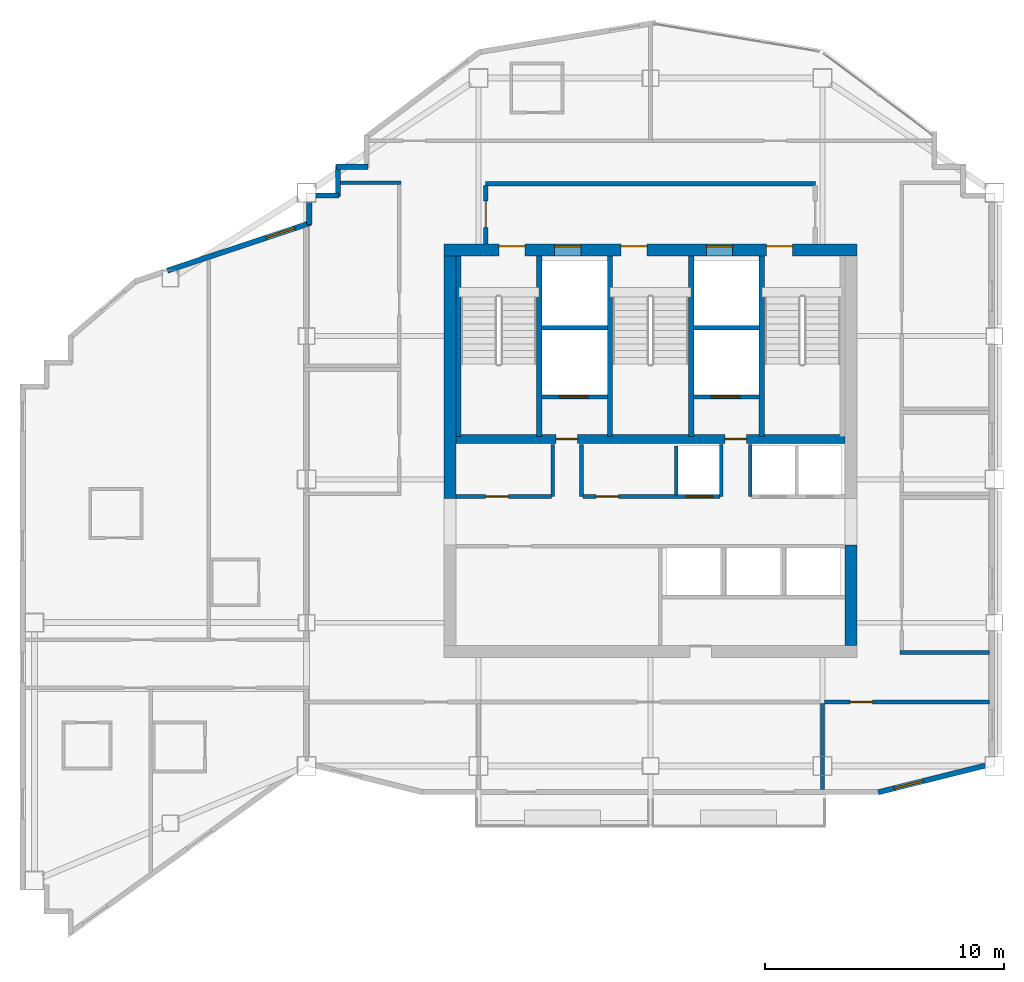
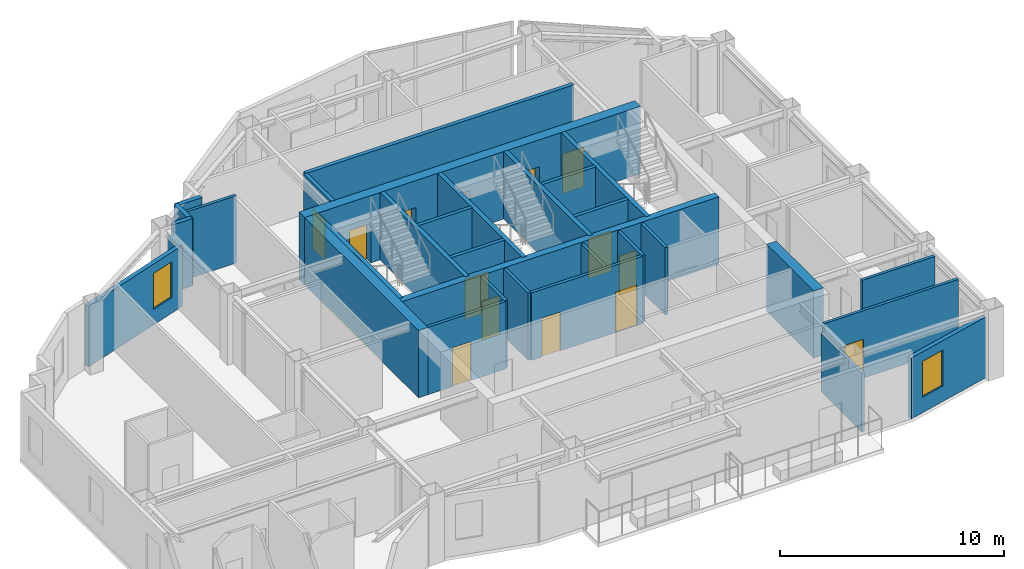
# One storey, part 6 of 9: 32 walls, 14 doors, 2 windows, 16 openings.
"""IFC4 building model written with IfcOpenShell, lengths in metres."""

from ifc_helpers import new_model, si_unit, direction, frame, frame_2d, origin, place, context, subcontext, project, spatial, rectangle, extrude, material, layer, layer_set, type_object, element, fill, save


model = new_model("IFC4")

# Units and contexts
model_context = context("Model", 3, precision=1e-05, world=origin(), true_north=direction((0.0, 1.0)))
body_context = subcontext(model_context, "Body", "Model", "MODEL_VIEW")
ifc_project = project(units=[si_unit("LENGTHUNIT", "METRE"), si_unit("AREAUNIT", "SQUARE_METRE"), si_unit("VOLUMEUNIT", "CUBIC_METRE"), si_unit("PLANEANGLEUNIT", "RADIAN"), si_unit("MASSUNIT", "GRAM", prefix="KILO")], contexts=[model_context])

# Site, building, storey
site_placement = place(None, origin())
site = spatial("IfcSite", under=ifc_project, at=site_placement, CompositionType="ELEMENT")
building_placement = place(site_placement, origin())
building = spatial("IfcBuilding", under=site, at=building_placement, Name="Haolan Belvedere Tower", CompositionType="ELEMENT")
storey_placement = place(building_placement, frame((0.0, 0.0, 239.050048828125)))
storey = spatial("IfcBuildingStorey", under=building, at=storey_placement, Name="L60", CompositionType="ELEMENT", Elevation=239.050048828125)

# Wall, openings, doors
ifc_material_1 = material(Name="Concrete C50/60", Category="concrete")
ifc_layer_1 = layer(ifc_material_1, 0.5, Name="Concrete C50/60")
ifc_layer_set_1 = layer_set([ifc_layer_1], Name="Concrete C50/60")
wall_type_1 = type_object("IfcWallType", Name="WL-CORE-500", PredefinedType="SHEAR", material=ifc_layer_set_1)
wall_1_placement = place(storey_placement, frame((29.75, 43.199951171875, 0.0), z_axis=(0.0, 0.0, 1.0), x_axis=(1.0, 0.0, 0.0)))
wall_1 = element("IfcWall", 1, at=wall_1_placement, inside=storey, type_object=wall_type_1, Name="L60 central core north shear wall", PredefinedType="SHEAR", context=body_context, shape_type="SweptSolid", body=[
    extrude(rectangle(XDim=17.300048828125, YDim=0.5, at=frame_2d((8.64990234375, 0.0))), origin(), (0.0, 0.0, 1.0), 3.669921875),
])
opening_1_placement = place(wall_1_placement, frame((2.300048828125, 0.0, 0.0)))
opening_1 = element("IfcOpeningElement", 2, at=opening_1_placement, cuts=wall_1, Name="Opening FD-03", PredefinedType="OPENING", context=body_context, shape_type="SweptSolid", body=[
    extrude(rectangle(XDim=1.10009765625, YDim=2.14990234375, at=frame_2d((0.550048828125, 1.074951171875))), frame((0.0, 0.260009765625, 0.0), z_axis=(0.0, -1.0, 0.0), x_axis=(1.0, 0.0, 0.0)), (0.0, 0.0, 1.0), 0.52001953125),
])
opening_2_placement = place(wall_1_placement, frame((7.409912109375, 0.0, 0.0)))
opening_2 = element("IfcOpeningElement", 3, at=opening_2_placement, cuts=wall_1, Name="Opening FD-03", PredefinedType="OPENING", context=body_context, shape_type="SweptSolid", body=[
    extrude(rectangle(XDim=1.10009765625, YDim=2.14990234375, at=frame_2d((0.550048828125, 1.074951171875))), frame((0.0, 0.260009765625, 0.0), z_axis=(0.0, -1.0, 0.0), x_axis=(1.0, 0.0, 0.0)), (0.0, 0.0, 1.0), 0.52001953125),
])
opening_3_placement = place(wall_1_placement, frame((13.5, 0.0, 0.0)))
opening_3 = element("IfcOpeningElement", 4, at=opening_3_placement, cuts=wall_1, Name="Opening FD-03", PredefinedType="OPENING", context=body_context, shape_type="SweptSolid", body=[
    extrude(rectangle(XDim=1.10009765625, YDim=2.14990234375, at=frame_2d((0.550048828125, 1.074951171875))), frame((0.0, 0.260009765625, 0.0), z_axis=(0.0, -1.0, 0.0), x_axis=(1.0, 0.0, 0.0)), (0.0, 0.0, 1.0), 0.52001953125),
])
opening_4_placement = place(wall_1_placement, frame((4.6298828125, 0.0, 0.0)))
opening_4 = element("IfcOpeningElement", 5, at=opening_4_placement, cuts=wall_1, Name="Opening LD-01", PredefinedType="OPENING", context=body_context, shape_type="SweptSolid", body=[
    extrude(rectangle(XDim=1.10009765625, YDim=2.199951171875, at=frame_2d((0.550048828125, 1.10009765625))), frame((0.0, 0.260009765625, 0.0), z_axis=(0.0, -1.0, 0.0), x_axis=(1.0, 0.0, 0.0)), (0.0, 0.0, 1.0), 0.52001953125),
])
opening_5_placement = place(wall_1_placement, frame((10.989990234375, 0.0, 0.0)))
opening_5 = element("IfcOpeningElement", 6, at=opening_5_placement, cuts=wall_1, Name="Opening LD-01", PredefinedType="OPENING", context=body_context, shape_type="SweptSolid", body=[
    extrude(rectangle(XDim=1.10009765625, YDim=2.199951171875, at=frame_2d((0.550048828125, 1.10009765625))), frame((0.0, 0.260009765625, 0.0), z_axis=(0.0, -1.0, 0.0), x_axis=(1.0, 0.0, 0.0)), (0.0, 0.0, 1.0), 0.52001953125),
])
ifc_material_2 = material(Name="Galvanised fire-rated steel", Category="steel")
door_type_1 = type_object("IfcDoorType", Name="DR-FD90-1100", OperationType="NOTDEFINED", PredefinedType="DOOR", material=ifc_material_2)
door_1_placement = place(opening_1_placement, origin())
door_1 = element("IfcDoor", 7, at=door_1_placement, inside=storey, type_object=door_type_1, Name="L60 door CD-L60-ST1", OperationType="SINGLE_SWING_LEFT", OverallHeight=2.14990234375, OverallWidth=1.10009765625, PredefinedType="DOOR", context=body_context, shape_type="SweptSolid", body=[
    extrude(rectangle(XDim=1.10009765625, YDim=2.14990234375, at=frame_2d((0.550048828125, 1.074951171875))), frame((0.0, 0.18505859375, 0.0), z_axis=(0.0, -1.0, 0.0), x_axis=(1.0, 0.0, 0.0)), (0.0, 0.0, 1.0), 0.050048828125),
])
fill(opening_1, door_1)
door_2_placement = place(opening_2_placement, origin())
door_2 = element("IfcDoor", 8, at=door_2_placement, inside=storey, type_object=door_type_1, Name="L60 door CD-L60-ST3", OperationType="SINGLE_SWING_LEFT", OverallHeight=2.14990234375, OverallWidth=1.10009765625, PredefinedType="DOOR", context=body_context, shape_type="SweptSolid", body=[
    extrude(rectangle(XDim=1.10009765625, YDim=2.14990234375, at=frame_2d((0.550048828125, 1.074951171875))), frame((0.0, 0.18505859375, 0.0), z_axis=(0.0, -1.0, 0.0), x_axis=(1.0, 0.0, 0.0)), (0.0, 0.0, 1.0), 0.050048828125),
])
fill(opening_2, door_2)
door_3_placement = place(opening_3_placement, origin())
door_3 = element("IfcDoor", 9, at=door_3_placement, inside=storey, type_object=door_type_1, Name="L60 door CD-L60-ST2", OperationType="SINGLE_SWING_RIGHT", OverallHeight=2.14990234375, OverallWidth=1.10009765625, PredefinedType="DOOR", context=body_context, shape_type="SweptSolid", body=[
    extrude(rectangle(XDim=1.10009765625, YDim=2.14990234375, at=frame_2d((0.550048828125, 1.074951171875))), frame((0.0, 0.18505859375, 0.0), z_axis=(0.0, -1.0, 0.0), x_axis=(1.0, 0.0, 0.0)), (0.0, 0.0, 1.0), 0.050048828125),
])
fill(opening_3, door_3)
ifc_material_3 = material(Name="Brushed champagne stainless steel 316L", Category="steel")
door_type_2 = type_object("IfcDoorType", Name="DR-LIFT-1100", OperationType="SLIDING_TO_LEFT", PredefinedType="DOOR", material=ifc_material_3)
door_4_placement = place(opening_4_placement, origin())
door_4 = element("IfcDoor", 10, at=door_4_placement, inside=storey, type_object=door_type_2, Name="L60 door LD-L60-FF1", OperationType="SLIDING_TO_LEFT", OverallHeight=2.199951171875, OverallWidth=1.10009765625, PredefinedType="DOOR", context=body_context, shape_type="SweptSolid", body=[
    extrude(rectangle(XDim=1.10009765625, YDim=2.199951171875, at=frame_2d((0.550048828125, 1.10009765625))), frame((0.0, 0.18505859375, 0.0), z_axis=(0.0, -1.0, 0.0), x_axis=(1.0, 0.0, 0.0)), (0.0, 0.0, 1.0), 0.050048828125),
])
fill(opening_4, door_4)
door_5_placement = place(opening_5_placement, origin())
door_5 = element("IfcDoor", 11, at=door_5_placement, inside=storey, type_object=door_type_2, Name="L60 door LD-L60-FF2", OperationType="SLIDING_TO_LEFT", OverallHeight=2.199951171875, OverallWidth=1.10009765625, PredefinedType="DOOR", context=body_context, shape_type="SweptSolid", body=[
    extrude(rectangle(XDim=1.10009765625, YDim=2.199951171875, at=frame_2d((0.550048828125, 1.10009765625))), frame((0.0, 0.18505859375, 0.0), z_axis=(0.0, -1.0, 0.0), x_axis=(1.0, 0.0, 0.0)), (0.0, 0.0, 1.0), 0.050048828125),
])
fill(opening_5, door_5)

# Walls
wall_2_placement = place(storey_placement, frame((30.0, 32.800048828125, 0.0), z_axis=(0.0, 0.0, 1.0), x_axis=(0.0, 1.0, 0.0)))
element("IfcWall", 12, at=wall_2_placement, inside=storey, type_object=wall_type_1, Name="L60 central core shear wall WN", PredefinedType="SHEAR", context=body_context, shape_type="SweptSolid", body=[
    extrude(rectangle(XDim=10.14990234375, YDim=0.5, at=frame_2d((5.074951171875, 0.0))), origin(), (0.0, 0.0, 1.0), 3.669921875),
])
wall_3_placement = place(storey_placement, frame((46.800048828125, 26.64990234375, 0.0), z_axis=(0.0, 0.0, 1.0), x_axis=(0.0, 1.0, 0.0)))
element("IfcWall", 13, at=wall_3_placement, inside=storey, type_object=wall_type_1, Name="L60 central core shear wall ES", PredefinedType="SHEAR", context=body_context, shape_type="SweptSolid", body=[
    extrude(rectangle(XDim=4.2001953125, YDim=0.5, at=frame_2d((2.10009765625, 0.0))), origin(), (0.0, 0.0, 1.0), 3.669921875),
])

# Wall, opening, window
ifc_material_4 = material(Name="Precast concrete C40/50", Category="concrete")
ifc_layer_2 = layer(ifc_material_4, 0.219970703125, Name="Precast concrete C40/50")
ifc_layer_set_2 = layer_set([ifc_layer_2], Name="Precast concrete C40/50")
wall_type_2 = type_object("IfcWallType", Name="WL-EXT-220", PredefinedType="SOLIDWALL", material=ifc_layer_set_2)
wall_4_placement = place(storey_placement, frame((47.93310546875, 20.49658203125, 0.0), z_axis=(0.0, 0.0, 1.0), x_axis=(0.970133159038, 0.242572986408, 0.0)))
wall_4 = element("IfcWall", 14, at=wall_4_placement, inside=storey, type_object=wall_type_2, Name="L60 pale-metal exterior spandrel wall 2.1", PredefinedType="SOLIDWALL", context=body_context, shape_type="SweptSolid", body=[
    extrude(rectangle(XDim=4.612548828125, YDim=0.219970703125, at=frame_2d((2.30615234375, 0.0))), origin(), (0.0, 0.0, 1.0), 3.31494140625),
])
opening_6_placement = place(wall_4_placement, frame((0.699951171875, 0.0, 0.85009765625)))
opening_6 = element("IfcOpeningElement", 15, at=opening_6_placement, cuts=wall_4, Name="Opening W-04", PredefinedType="OPENING", context=body_context, shape_type="SweptSolid", body=[
    extrude(rectangle(XDim=1.25, YDim=1.949951171875, at=frame_2d((0.625, 0.97509765625))), frame((0.0, 0.119873046875, 0.0), z_axis=(0.0, -1.0, 0.0), x_axis=(1.0, 0.0, 0.0)), (0.0, 0.0, 1.0), 0.239990234375),
])
ifc_material_5 = material(Name="Anodised aluminium 6063-T6 and Low-E glass", Category="aluminium")
window_type = type_object("IfcWindowType", Name="WN-DECO-Z4", PartitioningType="SINGLE_PANEL", PredefinedType="WINDOW", material=ifc_material_5)
window_1_placement = place(opening_6_placement, origin())
window_1 = element("IfcWindow", 16, at=window_1_placement, inside=storey, type_object=window_type, Name="L60 Art Deco chevron window 1", OverallHeight=1.949951171875, OverallWidth=1.25, PartitioningType="SINGLE_PANEL", PredefinedType="WINDOW", context=body_context, shape_type="SweptSolid", body=[
    extrude(rectangle(XDim=1.25, YDim=1.949951171875, at=frame_2d((0.625, 0.97509765625))), frame((0.0, 0.030029296875, 0.0), z_axis=(0.0, -1.0, 0.0), x_axis=(1.0, 0.0, 0.0)), (0.0, 0.0, 1.0), 0.06005859375),
])
fill(opening_6, window_1)

# Walls
for number, where, z_axis, x_axis, name in (
    (17, (26.56494140625, 46.68994140625, 0.0), (0.0, 0.0, 1.0), (-1.0, 0.0, 0.0), "L60 pale-metal exterior spandrel wall 13.1"),
    (18, (25.31005859375, 46.7451171875, 0.0), (0.0, 0.0, 1.0), (0.0, -1.0, 0.0), "L60 pale-metal exterior spandrel wall 14.1"),
):
    element("IfcWall", number, at=place(storey_placement, frame(where, z_axis=z_axis, x_axis=x_axis)), inside=storey, type_object=wall_type_2, Name=name, PredefinedType="SOLIDWALL", context=body_context, shape_type="SweptSolid", body=[
        extrude(rectangle(XDim=1.31005859375, YDim=0.219970703125, at=frame_2d((0.655029296875, 0.0))), origin(), (0.0, 0.0, 1.0), 3.669921875),
    ])
wall_5_placement = place(storey_placement, frame((25.364990234375, 45.489990234375, 0.0), z_axis=(0.0, 0.0, 1.0), x_axis=(-1.0, 0.0, 0.0)))
element("IfcWall", 19, at=wall_5_placement, inside=storey, type_object=wall_type_2, Name="L60 pale-metal exterior spandrel wall 15.1", PredefinedType="SOLIDWALL", context=body_context, shape_type="SweptSolid", body=[
    extrude(rectangle(XDim=0.972900390625, YDim=0.219970703125, at=frame_2d((0.486328125, 0.0))), origin(), (0.0, 0.0, 1.0), 3.669921875),
])
wall_6_placement = place(storey_placement, frame((24.110107421875, 45.2080078125, 0.0), z_axis=(0.0, 0.0, 1.0), x_axis=(0.0, -1.0, 0.0)))
element("IfcWall", 20, at=wall_6_placement, inside=storey, type_object=wall_type_2, Name="L60 pale-metal exterior spandrel wall 16.1", PredefinedType="SOLIDWALL", context=body_context, shape_type="SweptSolid", body=[
    extrude(rectangle(XDim=0.9423828125, YDim=0.219970703125, at=frame_2d((0.47119140625, 0.0))), origin(), (0.0, 0.0, 1.0), 3.31494140625),
])

# Wall, opening, window
wall_7_placement = place(storey_placement, frame((24.162109375, 44.338134765625, 0.0), z_axis=(0.0, 0.0, 1.0), x_axis=(-0.948687165594, -0.31621616315, 0.0)))
wall_7 = element("IfcWall", 21, at=wall_7_placement, inside=storey, type_object=wall_type_2, Name="L60 pale-metal exterior spandrel wall 17.1", PredefinedType="SOLIDWALL", context=body_context, shape_type="SweptSolid", body=[
    extrude(rectangle(XDim=6.3125, YDim=0.219970703125, at=frame_2d((3.15625, 0.0))), origin(), (0.0, 0.0, 1.0), 3.31494140625),
])
opening_7_placement = place(wall_7_placement, frame((0.699951171875, 0.0, 0.85009765625)))
opening_7 = element("IfcOpeningElement", 22, at=opening_7_placement, cuts=wall_7, Name="Opening W-04", PredefinedType="OPENING", context=body_context, shape_type="SweptSolid", body=[
    extrude(rectangle(XDim=1.25, YDim=1.949951171875, at=frame_2d((0.625, 0.97509765625))), frame((0.0, 0.119873046875, 0.0), z_axis=(0.0, -1.0, 0.0), x_axis=(1.0, 0.0, 0.0)), (0.0, 0.0, 1.0), 0.239990234375),
])
window_2_placement = place(opening_7_placement, origin())
window_2 = element("IfcWindow", 23, at=window_2_placement, inside=storey, type_object=window_type, Name="L60 Art Deco chevron window 1", OverallHeight=1.949951171875, OverallWidth=1.25, PartitioningType="SINGLE_PANEL", PredefinedType="WINDOW", context=body_context, shape_type="SweptSolid", body=[
    extrude(rectangle(XDim=1.25, YDim=1.949951171875, at=frame_2d((0.625, 0.97509765625))), frame((0.0, 0.030029296875, 0.0), z_axis=(0.0, -1.0, 0.0), x_axis=(1.0, 0.0, 0.0)), (0.0, 0.0, 1.0), 0.06005859375),
])
fill(opening_7, window_2)

# Wall
ifc_material_6 = material(Name="Concrete C40/50", Category="concrete")
ifc_layer_3 = layer(ifc_material_6, 0.199951171875, Name="Concrete C40/50")
ifc_layer_set_3 = layer_set([ifc_layer_3], Name="Concrete C40/50")
wall_type_3 = type_object("IfcWallType", Name="WL-FIRE-200", PredefinedType="SOLIDWALL", material=ifc_layer_set_3)
wall_8_placement = place(storey_placement, frame((31.5, 45.97998046875, 0.0), z_axis=(0.0, 0.0, 1.0), x_axis=(1.0, 0.0, 0.0)))
element("IfcWall", 24, at=wall_8_placement, inside=storey, type_object=wall_type_3, Name="L60 interior partition IW-L60-FFL-N", PredefinedType="SOLIDWALL", context=body_context, shape_type="SweptSolid", body=[
    extrude(rectangle(XDim=13.800048828125, YDim=0.199951171875, at=frame_2d((6.89990234375, 0.0))), origin(), (0.0, 0.0, 1.0), 3.669921875),
])

# Wall, opening, door
wall_9_placement = place(storey_placement, frame((31.5, 43.449951171875, 0.0), z_axis=(0.0, 0.0, 1.0), x_axis=(0.0, 1.0, 0.0)))
wall_9 = element("IfcWall", 25, at=wall_9_placement, inside=storey, type_object=wall_type_3, Name="L60 interior partition IW-L60-FFL-W", PredefinedType="SOLIDWALL", context=body_context, shape_type="SweptSolid", body=[
    extrude(rectangle(XDim=2.445068359375, YDim=0.199951171875, at=frame_2d((1.22265625, 0.0))), origin(), (0.0, 0.0, 1.0), 3.669921875),
])
opening_8_placement = place(wall_9_placement, frame((1.800048828125, 0.0, 0.0), z_axis=(0.0, 0.0, 1.0), x_axis=(-1.0, 0.0, 0.0)))
opening_8 = element("IfcOpeningElement", 26, at=opening_8_placement, cuts=wall_9, Name="Opening FD-03", PredefinedType="OPENING", context=body_context, shape_type="SweptSolid", body=[
    extrude(rectangle(XDim=1.10009765625, YDim=2.14990234375, at=frame_2d((0.550048828125, 1.074951171875))), frame((0.0, 0.10986328125, 0.0), z_axis=(0.0, -1.0, 0.0), x_axis=(1.0, 0.0, 0.0)), (0.0, 0.0, 1.0), 0.219970703125),
])
door_6_placement = place(opening_8_placement, origin())
door_6 = element("IfcDoor", 27, at=door_6_placement, inside=storey, type_object=door_type_1, Name="L60 door ID-L60-FFL-DW", OperationType="SINGLE_SWING_LEFT", OverallHeight=2.14990234375, OverallWidth=1.10009765625, PredefinedType="DOOR", context=body_context, shape_type="SweptSolid", body=[
    extrude(rectangle(XDim=1.10009765625, YDim=2.14990234375, at=frame_2d((0.550048828125, 1.074951171875))), frame((0.0, 0.02490234375, 0.0), z_axis=(0.0, -1.0, 0.0), x_axis=(1.0, 0.0, 0.0)), (0.0, 0.0, 1.0), 0.050048828125),
])
fill(opening_8, door_6)

# Walls
ifc_material_7 = material(Name="Double gypsum acoustic stud partition", Category="masonry")
ifc_layer_4 = layer(ifc_material_7, 0.14990234375, Name="Double gypsum acoustic stud partition")
ifc_layer_set_4 = layer_set([ifc_layer_4], Name="Double gypsum acoustic stud partition")
wall_type_4 = type_object("IfcWallType", Name="WL-PART-150", PredefinedType="PARTITIONING", material=ifc_layer_set_4)
wall_10_placement = place(storey_placement, frame((25.412109375, 46.02001953125, 0.0), z_axis=(0.0, 0.0, 1.0), x_axis=(1.0, 0.0, 0.0)))
element("IfcWall", 28, at=wall_10_placement, inside=storey, type_object=wall_type_4, Name="L60 interior partition IW-L60-VLT-N", PredefinedType="PARTITIONING", context=body_context, shape_type="SweptSolid", body=[
    extrude(rectangle(XDim=2.5478515625, YDim=0.14990234375, at=frame_2d((1.27392578125, 0.0))), origin(), (0.0, 0.0, 1.0), 3.669921875),
])
wall_11_placement = place(storey_placement, frame((48.840087890625, 26.35009765625, 0.0), z_axis=(0.0, 0.0, 1.0), x_axis=(1.0, 0.0, 0.0)))
element("IfcWall", 29, at=wall_11_placement, inside=storey, type_object=wall_type_4, Name="L60 interior partition IW-L60-PKTE-S", PredefinedType="PARTITIONING", context=body_context, shape_type="SweptSolid", body=[
    extrude(rectangle(XDim=3.747802734375, YDim=0.14990234375, at=frame_2d((1.8740234375, 0.0))), origin(), (0.0, 0.0, 1.0), 3.669921875),
])
wall_12_placement = place(storey_placement, frame((45.60009765625, 20.612060546875, 0.0), z_axis=(0.0, 0.0, 1.0), x_axis=(0.0, 1.0, 0.0)))
element("IfcWall", 30, at=wall_12_placement, inside=storey, type_object=wall_type_4, Name="L60 interior partition IW-L60-KS2-E", PredefinedType="PARTITIONING", context=body_context, shape_type="SweptSolid", body=[
    extrude(rectangle(XDim=3.60791015625, YDim=0.14990234375, at=frame_2d((1.803955078125, 0.0))), origin(), (0.0, 0.0, 1.0), 3.204833984375),
])

# Wall, opening, door
wall_13_placement = place(storey_placement, frame((45.681884765625, 24.280029296875, 0.0), z_axis=(0.0, 0.0, 1.0), x_axis=(1.0, 0.0, 0.0)))
wall_13 = element("IfcWall", 31, at=wall_13_placement, inside=storey, type_object=wall_type_4, Name="L60 interior partition IW-L60-KS3-N", PredefinedType="PARTITIONING", context=body_context, shape_type="SweptSolid", body=[
    extrude(rectangle(XDim=6.906005859375, YDim=0.14990234375, at=frame_2d((3.453125, 0.0))), origin(), (0.0, 0.0, 1.0), 3.669921875),
])
opening_9_placement = place(wall_13_placement, frame((2.01806640625, 0.0, 0.0), z_axis=(0.0, 0.0, 1.0), x_axis=(-1.0, 0.0, 0.0)))
opening_9 = element("IfcOpeningElement", 32, at=opening_9_placement, cuts=wall_13, Name="Opening ID-03", PredefinedType="OPENING", context=body_context, shape_type="SweptSolid", body=[
    extrude(rectangle(XDim=0.949951171875, YDim=2.1201171875, at=frame_2d((0.47509765625, 1.06005859375))), frame((0.0, 0.0849609375, 0.0), z_axis=(0.0, -1.0, 0.0), x_axis=(1.0, 0.0, 0.0)), (0.0, 0.0, 1.0), 0.169921875),
])
ifc_material_8 = material(Name="Painted solid-core timber", Category="wood")
door_type_3 = type_object("IfcDoorType", Name="DR-INT-950", OperationType="NOTDEFINED", PredefinedType="DOOR", material=ifc_material_8)
door_7_placement = place(opening_9_placement, origin())
door_7 = element("IfcDoor", 33, at=door_7_placement, inside=storey, type_object=door_type_3, Name="L60 door ID-L60-KS3", OperationType="SINGLE_SWING_RIGHT", OverallHeight=2.1201171875, OverallWidth=0.949951171875, PredefinedType="DOOR", context=body_context, shape_type="SweptSolid", body=[
    extrude(rectangle(XDim=0.949951171875, YDim=2.1201171875, at=frame_2d((0.47509765625, 1.06005859375))), frame((0.0, 0.02490234375, 0.0), z_axis=(0.0, -1.0, 0.0), x_axis=(1.0, 0.0, 0.0)), (0.0, 0.0, 1.0), 0.050048828125),
])
fill(opening_9, door_7)

# Walls
ifc_material_9 = material(Name="Gypsum fire shaftwall assembly", Category="masonry")
ifc_layer_5 = layer(ifc_material_9, 0.1650390625, Name="Gypsum fire shaftwall assembly")
ifc_layer_set_5 = layer_set([ifc_layer_5], Name="Gypsum fire shaftwall assembly")
wall_type_5 = type_object("IfcWallType", Name="WL-SHAFT-160", PredefinedType="SOLIDWALL", material=ifc_layer_set_5)
for number, where, z_axis, x_axis, name in (
    (34, (34.31005859375, 32.8798828125, 0.0), (0.0, 0.0, 1.0), (0.0, 1.0, 0.0), "L60 interior partition IW-L60-SVP-W-SV1"),
    (35, (35.510009765625, 32.8798828125, 0.0), (0.0, 0.0, 1.0), (0.0, 1.0, 0.0), "L60 interior partition IW-L60-SVP-E-SV1"),
    (36, (41.3701171875, 32.8798828125, 0.0), (0.0, 0.0, 1.0), (0.0, 1.0, 0.0), "L60 interior partition IW-L60-SVP-W-SV2"),
    (37, (42.570068359375, 32.8798828125, 0.0), (0.0, 0.0, 1.0), (0.0, 1.0, 0.0), "L60 interior partition IW-L60-SVP-E-SV2"),
):
    element("IfcWall", number, at=place(storey_placement, frame(where, z_axis=z_axis, x_axis=x_axis)), inside=storey, type_object=wall_type_5, Name=name, PredefinedType="SOLIDWALL", context=body_context, shape_type="SweptSolid", body=[
        extrude(rectangle(XDim=2.170166015625, YDim=0.14990234375, at=frame_2d((1.0849609375, 0.0))), origin(), (0.0, 0.0, 1.0), 3.669921875),
    ])

# Wall, opening, door
wall_14_placement = place(storey_placement, frame((30.25, 32.8798828125, 0.0), z_axis=(0.0, 0.0, 1.0), x_axis=(1.0, 0.0, 0.0)))
wall_14 = element("IfcWall", 38, at=wall_14_placement, inside=storey, type_object=wall_type_5, Name="L60 interior partition IW-L60-ROW-PN1", PredefinedType="SOLIDWALL", context=body_context, shape_type="SweptSolid", body=[
    extrude(rectangle(XDim=4.0, YDim=0.159912109375, at=frame_2d((2.0, 0.0))), origin(), (0.0, 0.0, 1.0), 3.669921875),
])
opening_10_placement = place(wall_14_placement, frame((2.199951171875, 0.0, 0.0), z_axis=(0.0, 0.0, 1.0), x_axis=(-1.0, 0.0, 0.0)))
opening_10 = element("IfcOpeningElement", 39, at=opening_10_placement, cuts=wall_14, Name="Opening ID-03", PredefinedType="OPENING", context=body_context, shape_type="SweptSolid", body=[
    extrude(rectangle(XDim=0.949951171875, YDim=2.1201171875, at=frame_2d((0.47509765625, 1.06005859375))), frame((0.0, 0.08984375, 0.0), z_axis=(0.0, -1.0, 0.0), x_axis=(1.0, 0.0, 0.0)), (0.0, 0.0, 1.0), 0.179931640625),
])
door_8_placement = place(opening_10_placement, origin())
door_8 = element("IfcDoor", 40, at=door_8_placement, inside=storey, type_object=door_type_3, Name="L60 door ID-L60-CD-RPLW", OperationType="SINGLE_SWING_LEFT", OverallHeight=2.1201171875, OverallWidth=0.949951171875, PredefinedType="DOOR", context=body_context, shape_type="SweptSolid", body=[
    extrude(rectangle(XDim=0.949951171875, YDim=2.1201171875, at=frame_2d((0.47509765625, 1.06005859375))), frame((0.0, 0.02490234375, 0.0), z_axis=(0.0, -1.0, 0.0), x_axis=(1.0, 0.0, 0.0)), (0.0, 0.0, 1.0), 0.050048828125),
])
fill(opening_10, door_8)

# Wall, openings, doors
wall_15_placement = place(storey_placement, frame((35.570068359375, 32.8798828125, 0.0), z_axis=(0.0, 0.0, 1.0), x_axis=(1.0, 0.0, 0.0)))
wall_15 = element("IfcWall", 41, at=wall_15_placement, inside=storey, type_object=wall_type_5, Name="L60 interior partition IW-L60-ROW-PN2", PredefinedType="SOLIDWALL", context=body_context, shape_type="SweptSolid", body=[
    extrude(rectangle(XDim=5.739990234375, YDim=0.159912109375, at=frame_2d((2.8701171875, 0.0))), origin(), (0.0, 0.0, 1.0), 3.669921875),
])
opening_11_placement = place(wall_15_placement, frame((1.489990234375, 0.0, 0.0), z_axis=(0.0, 0.0, 1.0), x_axis=(-1.0, 0.0, 0.0)))
opening_11 = element("IfcOpeningElement", 42, at=opening_11_placement, cuts=wall_15, Name="Opening ID-03", PredefinedType="OPENING", context=body_context, shape_type="SweptSolid", body=[
    extrude(rectangle(XDim=0.949951171875, YDim=2.1201171875, at=frame_2d((0.47509765625, 1.06005859375))), frame((0.0, 0.08984375, 0.0), z_axis=(0.0, -1.0, 0.0), x_axis=(1.0, 0.0, 0.0)), (0.0, 0.0, 1.0), 0.179931640625),
])
opening_12_placement = place(wall_15_placement, frame((5.43017578125, 0.0, 0.0), z_axis=(0.0, 0.0, 1.0), x_axis=(-1.0, 0.0, 0.0)))
opening_12 = element("IfcOpeningElement", 43, at=opening_12_placement, cuts=wall_15, Name="Opening LD-01", PredefinedType="OPENING", context=body_context, shape_type="SweptSolid", body=[
    extrude(rectangle(XDim=1.10009765625, YDim=2.199951171875, at=frame_2d((0.550048828125, 1.10009765625))), frame((0.0, 0.08984375, 0.0), z_axis=(0.0, -1.0, 0.0), x_axis=(1.0, 0.0, 0.0)), (0.0, 0.0, 1.0), 0.179931640625),
])
door_9_placement = place(opening_11_placement, origin())
door_9 = element("IfcDoor", 44, at=door_9_placement, inside=storey, type_object=door_type_3, Name="L60 door ID-L60-CD-RPLE", OperationType="SINGLE_SWING_RIGHT", OverallHeight=2.1201171875, OverallWidth=0.949951171875, PredefinedType="DOOR", context=body_context, shape_type="SweptSolid", body=[
    extrude(rectangle(XDim=0.949951171875, YDim=2.1201171875, at=frame_2d((0.47509765625, 1.06005859375))), frame((0.0, 0.02490234375, 0.0), z_axis=(0.0, -1.0, 0.0), x_axis=(1.0, 0.0, 0.0)), (0.0, 0.0, 1.0), 0.050048828125),
])
fill(opening_11, door_9)
door_10_placement = place(opening_12_placement, origin())
door_10 = element("IfcDoor", 45, at=door_10_placement, inside=storey, type_object=door_type_2, Name="L60 door ID-L60-LD-PH1", OperationType="SLIDING_TO_RIGHT", OverallHeight=2.199951171875, OverallWidth=1.10009765625, PredefinedType="DOOR", context=body_context, shape_type="SweptSolid", body=[
    extrude(rectangle(XDim=1.10009765625, YDim=2.199951171875, at=frame_2d((0.550048828125, 1.10009765625))), frame((0.0, 0.02490234375, 0.0), z_axis=(0.0, -1.0, 0.0), x_axis=(1.0, 0.0, 0.0)), (0.0, 0.0, 1.0), 0.050048828125),
])
fill(opening_12, door_10)

# Walls
wall_16_placement = place(storey_placement, frame((39.469970703125, 32.949951171875, 0.0), z_axis=(0.0, 0.0, 1.0), x_axis=(0.0, 1.0, 0.0)))
element("IfcWall", 46, at=wall_16_placement, inside=storey, type_object=wall_type_5, Name="L60 interior partition IW-L60-DIV-PL4R", PredefinedType="SOLIDWALL", context=body_context, shape_type="SweptSolid", body=[
    extrude(rectangle(XDim=2.050048828125, YDim=0.14990234375, at=frame_2d((1.02490234375, 0.0))), origin(), (0.0, 0.0, 1.0), 3.669921875),
])
ifc_layer_6 = layer(ifc_material_4, 0.179931640625, Name="Precast concrete C40/50")
ifc_layer_set_6 = layer_set([ifc_layer_6], Name="Precast concrete C40/50")
wall_type_6 = type_object("IfcWallType", Name="WL-SHAFT-180", PredefinedType="SOLIDWALL", material=ifc_layer_set_6)
for number, where, z_axis, x_axis, name in (
    (47, (33.8349609375, 39.949951171875, 0.0), (0.0, 0.0, 1.0), (1.0, 0.0, 0.0), "L60 interior partition IW-L60-FF1-S"),
    (48, (40.195068359375, 39.949951171875, 0.0), (0.0, 0.0, 1.0), (1.0, 0.0, 0.0), "L60 interior partition IW-L60-FF2-S"),
):
    element("IfcWall", number, at=place(storey_placement, frame(where, z_axis=z_axis, x_axis=x_axis)), inside=storey, type_object=wall_type_6, Name=name, PredefinedType="SOLIDWALL", context=body_context, shape_type="SweptSolid", body=[
        extrude(rectangle(XDim=2.77001953125, YDim=0.179931640625, at=frame_2d((1.385009765625, 0.0))), origin(), (0.0, 0.0, 1.0), 3.669921875),
    ])

# Wall, opening, door
wall_17_placement = place(storey_placement, frame((33.8349609375, 37.050048828125, 0.0), z_axis=(0.0, 0.0, 1.0), x_axis=(1.0, 0.0, 0.0)))
wall_17 = element("IfcWall", 49, at=wall_17_placement, inside=storey, type_object=wall_type_6, Name="L60 interior partition IW-L60-SV1-S", PredefinedType="SOLIDWALL", context=body_context, shape_type="SweptSolid", body=[
    extrude(rectangle(XDim=2.77001953125, YDim=0.179931640625, at=frame_2d((1.385009765625, 0.0))), origin(), (0.0, 0.0, 1.0), 3.669921875),
])
opening_13_placement = place(wall_17_placement, frame((1.945068359375, 0.0, 0.0), z_axis=(0.0, 0.0, 1.0), x_axis=(-1.0, 0.0, 0.0)))
opening_13 = element("IfcOpeningElement", 50, at=opening_13_placement, cuts=wall_17, Name="Opening LD-02", PredefinedType="OPENING", context=body_context, shape_type="SweptSolid", body=[
    extrude(rectangle(XDim=1.199951171875, YDim=2.199951171875, at=frame_2d((0.60009765625, 1.10009765625))), frame((0.0, 0.099853515625, 0.0), z_axis=(0.0, -1.0, 0.0), x_axis=(1.0, 0.0, 0.0)), (0.0, 0.0, 1.0), 0.199951171875),
])
door_type_4 = type_object("IfcDoorType", Name="DR-LIFT-1200", OperationType="SLIDING_TO_RIGHT", PredefinedType="DOOR", material=ifc_material_3)
door_11_placement = place(opening_13_placement, origin())
door_11 = element("IfcDoor", 51, at=door_11_placement, inside=storey, type_object=door_type_4, Name="L60 door ID-L60-LD-SV1", OperationType="SLIDING_TO_RIGHT", OverallHeight=2.199951171875, OverallWidth=1.199951171875, PredefinedType="DOOR", context=body_context, shape_type="SweptSolid", body=[
    extrude(rectangle(XDim=1.199951171875, YDim=2.199951171875, at=frame_2d((0.60009765625, 1.10009765625))), frame((0.0, 0.02490234375, 0.0), z_axis=(0.0, -1.0, 0.0), x_axis=(1.0, 0.0, 0.0)), (0.0, 0.0, 1.0), 0.050048828125),
])
fill(opening_13, door_11)

wall_18_placement = place(storey_placement, frame((40.195068359375, 37.050048828125, 0.0), z_axis=(0.0, 0.0, 1.0), x_axis=(1.0, 0.0, 0.0)))
wall_18 = element("IfcWall", 52, at=wall_18_placement, inside=storey, type_object=wall_type_6, Name="L60 interior partition IW-L60-SV2-S", PredefinedType="SOLIDWALL", context=body_context, shape_type="SweptSolid", body=[
    extrude(rectangle(XDim=2.77001953125, YDim=0.179931640625, at=frame_2d((1.385009765625, 0.0))), origin(), (0.0, 0.0, 1.0), 3.669921875),
])
opening_14_placement = place(wall_18_placement, frame((1.945068359375, 0.0, 0.0), z_axis=(0.0, 0.0, 1.0), x_axis=(-1.0, 0.0, 0.0)))
opening_14 = element("IfcOpeningElement", 53, at=opening_14_placement, cuts=wall_18, Name="Opening LD-02", PredefinedType="OPENING", context=body_context, shape_type="SweptSolid", body=[
    extrude(rectangle(XDim=1.199951171875, YDim=2.199951171875, at=frame_2d((0.60009765625, 1.10009765625))), frame((0.0, 0.099853515625, 0.0), z_axis=(0.0, -1.0, 0.0), x_axis=(1.0, 0.0, 0.0)), (0.0, 0.0, 1.0), 0.199951171875),
])
door_12_placement = place(opening_14_placement, origin())
door_12 = element("IfcDoor", 54, at=door_12_placement, inside=storey, type_object=door_type_4, Name="L60 door ID-L60-LD-SV2", OperationType="SLIDING_TO_RIGHT", OverallHeight=2.199951171875, OverallWidth=1.199951171875, PredefinedType="DOOR", context=body_context, shape_type="SweptSolid", body=[
    extrude(rectangle(XDim=1.199951171875, YDim=2.199951171875, at=frame_2d((0.60009765625, 1.10009765625))), frame((0.0, 0.02490234375, 0.0), z_axis=(0.0, -1.0, 0.0), x_axis=(1.0, 0.0, 0.0)), (0.0, 0.0, 1.0), 0.050048828125),
])
fill(opening_14, door_12)

# Walls
ifc_layer_7 = layer(ifc_material_1, 0.219970703125, Name="Concrete C50/60")
ifc_layer_set_7 = layer_set([ifc_layer_7], Name="Concrete C50/60")
wall_type_7 = type_object("IfcWallType", Name="WL-STAIR-220", PredefinedType="SHEAR", material=ifc_layer_set_7)
for number, where, z_axis, x_axis, name in (
    (55, (30.362060546875, 35.389892578125, 0.0), (0.0, 0.0, 1.0), (0.0, 1.0, 0.0), "L60 structural stair core wall ST1W"),
    (56, (33.739990234375, 35.389892578125, 0.0), (0.0, 0.0, 1.0), (0.0, 1.0, 0.0), "L60 structural stair core wall ST1E"),
    (57, (36.699951171875, 35.389892578125, 0.0), (0.0, 0.0, 1.0), (0.0, 1.0, 0.0), "L60 structural stair core wall ST3W"),
    (58, (40.10009765625, 35.389892578125, 0.0), (0.0, 0.0, 1.0), (0.0, 1.0, 0.0), "L60 structural stair core wall ST3E"),
    (59, (43.06005859375, 35.389892578125, 0.0), (0.0, 0.0, 1.0), (0.0, 1.0, 0.0), "L60 structural stair core wall ST2W"),
):
    element("IfcWall", number, at=place(storey_placement, frame(where, z_axis=z_axis, x_axis=x_axis)), inside=storey, type_object=wall_type_7, Name=name, PredefinedType="SHEAR", context=body_context, shape_type="SweptSolid", body=[
        extrude(rectangle(XDim=7.56005859375, YDim=0.219970703125, at=frame_2d((3.780029296875, 0.0))), origin(), (0.0, 0.0, 1.0), 3.669921875),
    ])

# Wall, openings, doors
ifc_material_10 = material(Name="Concrete C60/75", Category="concrete")
ifc_layer_8 = layer(ifc_material_10, 0.360107421875, Name="Concrete C60/75")
ifc_layer_set_8 = layer_set([ifc_layer_8], Name="Concrete C60/75")
wall_type_8 = type_object("IfcWallType", Name="WL-WEB-350", PredefinedType="SHEAR", material=ifc_layer_set_8)
wall_19_placement = place(storey_placement, frame((30.25, 35.2900390625, 0.0), z_axis=(0.0, 0.0, 1.0), x_axis=(1.0, 0.0, 0.0)))
wall_19 = element("IfcWall", 60, at=wall_19_placement, inside=storey, type_object=wall_type_8, Name="L60 central core internal shear web", PredefinedType="SHEAR", context=body_context, shape_type="SweptSolid", body=[
    extrude(rectangle(XDim=16.300048828125, YDim=0.360107421875, at=frame_2d((8.14990234375, 0.0))), origin(), (0.0, 0.0, 1.0), 3.669921875),
])
opening_15_placement = place(wall_19_placement, frame((5.099853515625, 0.0, 0.0), z_axis=(0.0, 0.0, 1.0), x_axis=(-1.0, 0.0, 0.0)))
opening_15 = element("IfcOpeningElement", 61, at=opening_15_placement, cuts=wall_19, Name="Opening FD-05", PredefinedType="OPENING", context=body_context, shape_type="SweptSolid", body=[
    extrude(rectangle(XDim=0.89990234375, YDim=2.10009765625, at=frame_2d((0.449951171875, 1.050048828125))), frame((0.0, 0.18994140625, 0.0), z_axis=(0.0, -1.0, 0.0), x_axis=(1.0, 0.0, 0.0)), (0.0, 0.0, 1.0), 0.380126953125),
])
opening_16_placement = place(wall_19_placement, frame((12.159912109375, 0.0, 0.0), z_axis=(0.0, 0.0, 1.0), x_axis=(-1.0, 0.0, 0.0)))
opening_16 = element("IfcOpeningElement", 62, at=opening_16_placement, cuts=wall_19, Name="Opening FD-05", PredefinedType="OPENING", context=body_context, shape_type="SweptSolid", body=[
    extrude(rectangle(XDim=0.89990234375, YDim=2.10009765625, at=frame_2d((0.449951171875, 1.050048828125))), frame((0.0, 0.18994140625, 0.0), z_axis=(0.0, -1.0, 0.0), x_axis=(1.0, 0.0, 0.0)), (0.0, 0.0, 1.0), 0.380126953125),
])
door_type_5 = type_object("IfcDoorType", Name="DR-FD60-900", OperationType="NOTDEFINED", PredefinedType="DOOR", material=ifc_material_2)
door_13_placement = place(opening_15_placement, origin())
door_13 = element("IfcDoor", 63, at=door_13_placement, inside=storey, type_object=door_type_5, Name="L60 door CD-L60-SVL-SV1", OperationType="SINGLE_SWING_RIGHT", OverallHeight=2.10009765625, OverallWidth=0.89990234375, PredefinedType="DOOR", context=body_context, shape_type="SweptSolid", body=[
    extrude(rectangle(XDim=0.89990234375, YDim=2.10009765625, at=frame_2d((0.449951171875, 1.050048828125))), frame((0.0, 0.02490234375, 0.0), z_axis=(0.0, -1.0, 0.0), x_axis=(1.0, 0.0, 0.0)), (0.0, 0.0, 1.0), 0.050048828125),
])
fill(opening_15, door_13)
door_14_placement = place(opening_16_placement, origin())
door_14 = element("IfcDoor", 64, at=door_14_placement, inside=storey, type_object=door_type_5, Name="L60 door CD-L60-SVL-SV2", OperationType="SINGLE_SWING_RIGHT", OverallHeight=2.10009765625, OverallWidth=0.89990234375, PredefinedType="DOOR", context=body_context, shape_type="SweptSolid", body=[
    extrude(rectangle(XDim=0.89990234375, YDim=2.10009765625, at=frame_2d((0.449951171875, 1.050048828125))), frame((0.0, 0.02490234375, 0.0), z_axis=(0.0, -1.0, 0.0), x_axis=(1.0, 0.0, 0.0)), (0.0, 0.0, 1.0), 0.050048828125),
])
fill(opening_16, door_14)

save(model, "model.ifc")
